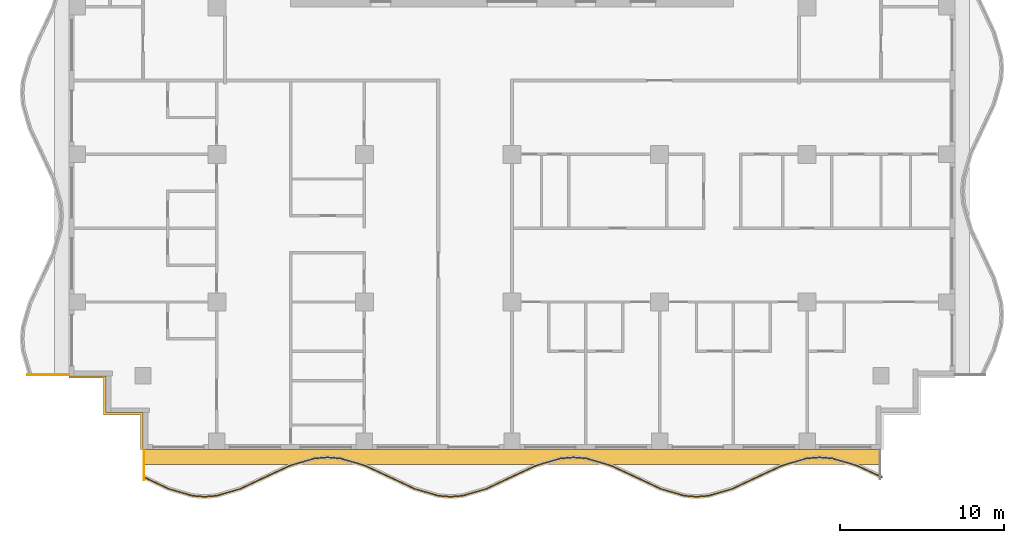
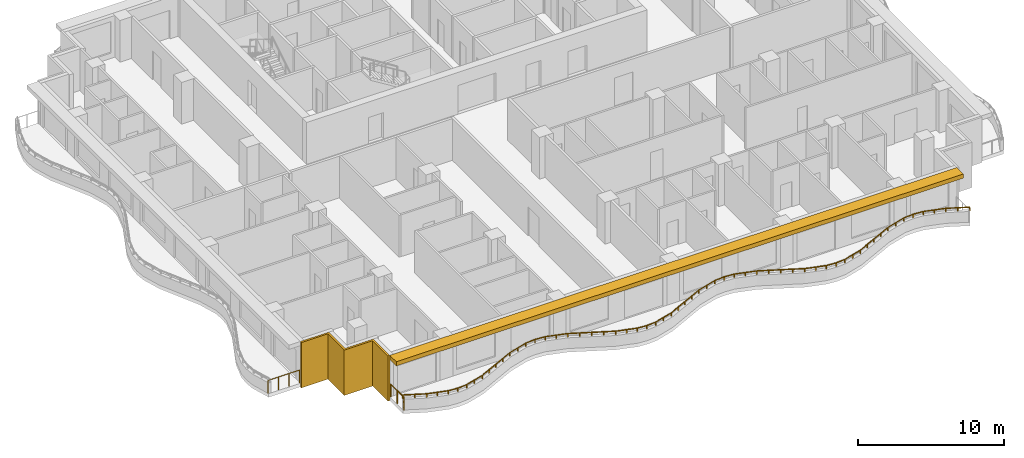
# One storey, part 9 of 12: 3 railings, 2 shading devices.
"""IFC4 building model written with IfcOpenShell, lengths in metres."""

import ifcopenshell
import ifcopenshell.guid

model = None  # the IFC model being written
_history = None  # IfcOwnerHistory: only IFC2X3 demands one
_inside = {}  # id of a spatial element -> (the spatial element, [elements in it])
_under = {}  # id of a project, library or spatial element -> (it, [spatial elements below it])
_declared = {}  # id of a project -> (the project, [libraries it declares])
_typed = {}  # id of a type object -> (the type object, [elements of that type])
_made_of = {}  # id of a material, layer set ... -> (it, [elements and type objects made of it])


def new_model(schema):
    """Start an empty IFC model of exactly this schema.

    Asked for "IFC4X3", IfcOpenShell would pick the latest addendum, in which some entities
    have other attributes; the version numbers below select the first issue.
    IFC2X3 requires an IfcOwnerHistory on every rooted entity: one is made here for all.
    """
    global model, _history
    if schema == "IFC4X3":
        model = ifcopenshell.file(schema_version=(4, 3, 0, 0))
    else:
        model = ifcopenshell.file(schema=schema)
    _inside.clear()
    _under.clear()
    _declared.clear()
    _typed.clear()
    _made_of.clear()
    _history = None
    if model.schema == "IFC2X3":
        org = make("IfcOrganization", Name="unknown")
        user = make(
            "IfcPersonAndOrganization",
            ThePerson=make("IfcPerson", FamilyName="unknown"),
            TheOrganization=org,
        )
        app = make(
            "IfcApplication",
            ApplicationDeveloper=org,
            Version="unknown",
            ApplicationFullName="unknown",
            ApplicationIdentifier="unknown",
        )
        _history = make(
            "IfcOwnerHistory",
            OwningUser=user,
            OwningApplication=app,
            ChangeAction="ADDED",
            CreationDate=0,
        )
    return model


def make(cls, **values):
    """One entity of the class cls with the attributes given. An attribute that is None is left unset."""
    return model.create_entity(
        cls, **{name: value for name, value in values.items() if value is not None}
    )


def rooted(cls, **values):
    """An entity with a GlobalId (a new one), such as an element, a storey or a relation."""
    return make(cls, GlobalId=ifcopenshell.guid.new(), OwnerHistory=_history, **values)


def si_unit(unit_type, name, prefix=None):
    """IfcSIUnit, for example si_unit("LENGTHUNIT", "METRE", prefix="MILLI")."""
    return make("IfcSIUnit", UnitType=unit_type, Prefix=prefix, Name=name)


def assignment(units):
    """IfcUnitAssignment: the units of a project."""
    return None if units is None else make("IfcUnitAssignment", Units=units)


def point(xyz):
    """IfcCartesianPoint."""
    return None if xyz is None else make("IfcCartesianPoint", Coordinates=xyz)


def direction(xyz):
    """IfcDirection."""
    return None if xyz is None else make("IfcDirection", DirectionRatios=xyz)


def frame(location, z_axis=None, x_axis=None):
    """IfcAxis2Placement3D, a coordinate frame: its origin and axes. An axis left out is left unset."""
    return make(
        "IfcAxis2Placement3D",
        Location=point(location),
        Axis=direction(z_axis),
        RefDirection=direction(x_axis),
    )


def frame_2d(location, x_axis=None):
    """IfcAxis2Placement2D, a coordinate frame in the plane: its origin and x axis."""
    return make(
        "IfcAxis2Placement2D", Location=point(location), RefDirection=direction(x_axis)
    )


def origin():
    """The frame at (0, 0, 0) with its axes left unset."""
    return frame((0.0, 0.0, 0.0))


def origin_2d():
    """The frame at (0, 0) in the plane with its x axis left unset."""
    return frame_2d((0.0, 0.0))


def place(relative_to, where):
    """IfcLocalPlacement: puts the frame where relative to a parent placement (None: the world)."""
    return make(
        "IfcLocalPlacement", PlacementRelTo=relative_to, RelativePlacement=where
    )


def context(
    kind, dimensions, precision=None, world=None, true_north=None, identifier=None
):
    """IfcGeometricRepresentationContext, for example the 3D "Model" context."""
    return make(
        "IfcGeometricRepresentationContext",
        ContextIdentifier=identifier,
        ContextType=kind,
        CoordinateSpaceDimension=dimensions,
        Precision=precision,
        WorldCoordinateSystem=world,
        TrueNorth=true_north,
    )


def subcontext(parent, identifier, kind, view, scale=None):
    """IfcGeometricRepresentationSubContext, for example "Body" below "Model"."""
    return make(
        "IfcGeometricRepresentationSubContext",
        ContextIdentifier=identifier,
        ContextType=kind,
        ParentContext=parent,
        TargetScale=scale,
        TargetView=view,
    )


def project(units=None, contexts=None):
    """IfcProject with its units and contexts."""
    return rooted(
        "IfcProject",
        Name="project",
        RepresentationContexts=contexts,
        UnitsInContext=assignment(units),
    )


def spatial(cls, under=None, at=None, **own):
    """A site, building, storey or space (cls), placed at a placement, below another one or the project."""
    s = rooted(cls, ObjectPlacement=at, **own)
    if under is not None:
        _under.setdefault(under.id(), (under, []))[1].append(s)
    return s


def polyline(points):
    """IfcPolyline through the points."""
    return make("IfcPolyline", Points=[point(p) for p in points])


def profile(cls, at=None, kind="AREA", **sizes):
    """A parametric profile (cls). Its sizes go by their IFC names, for example OverallWidth=200.0."""
    return make(cls, ProfileType=kind, Position=at, **sizes)


def rectangle(**sizes):
    """IfcRectangleProfileDef."""
    return profile("IfcRectangleProfileDef", **sizes)


def outline(outer, holes=None, kind="AREA"):
    """IfcArbitraryClosedProfileDef: a profile drawn as a closed curve; with holes, ...WithVoids."""
    if holes is None:
        return make("IfcArbitraryClosedProfileDef", ProfileType=kind, OuterCurve=outer)
    return make(
        "IfcArbitraryProfileDefWithVoids",
        ProfileType=kind,
        OuterCurve=outer,
        InnerCurves=holes,
    )


def extrude(swept, where, along, depth):
    """IfcExtrudedAreaSolid: the profile swept, set in the frame where, extruded along a direction by depth."""
    return make(
        "IfcExtrudedAreaSolid",
        SweptArea=swept,
        Position=where,
        ExtrudedDirection=direction(along),
        Depth=depth,
    )


def shape(context_of_items, identifier, shape_type, items):
    """IfcShapeRepresentation: the items that make up one representation, for example the "Body"."""
    return make(
        "IfcShapeRepresentation",
        ContextOfItems=context_of_items,
        RepresentationIdentifier=identifier,
        RepresentationType=shape_type,
        Items=items,
    )


def material(Name=None, Category=None):
    """IfcMaterial."""
    return make("IfcMaterial", Name=Name, Category=Category)


def layer(
    of_material, thickness, ventilated=None, Name=None, Category=None, Priority=None
):
    """IfcMaterialLayer: one layer of a wall or slab, of a material (None: an air gap)."""
    return make(
        "IfcMaterialLayer",
        Material=of_material,
        LayerThickness=thickness,
        IsVentilated=ventilated,
        Name=Name,
        Category=Category,
        Priority=Priority,
    )


def layer_set(layers, Name=None):
    """IfcMaterialLayerSet."""
    return make("IfcMaterialLayerSet", MaterialLayers=layers, LayerSetName=Name)


def made_of(thing, what):
    """Note that an element or type object is made of a material, layer set ...; save() writes the relation."""
    if what is not None:
        _made_of.setdefault(what.id(), (what, []))[1].append(thing)
    return thing


def type_object(cls, material=None, **own):
    """A type object (cls), such as IfcWallType, which elements share."""
    return made_of(rooted(cls, **own), material)


def element(
    cls,
    number,
    at=None,
    inside=None,
    cuts=None,
    type_object=None,
    material=None,
    context=None,
    identifier="Body",
    shape_type=None,
    held_by="IfcProductDefinitionShape",
    body=None,
    shapes=None,
    **own,
):
    """One element of the class cls, such as IfcWall. Its Tag is "e" and its number.

    at: its placement. inside: the storey or other place that contains it. cuts: it is an
    opening in that element (IfcRelVoidsElement). A single representation is given by context,
    identifier, shape_type and body (its items); several are given by shapes. held_by: the class
    of the entity that holds the representations. save() writes the other relations.
    """
    e = rooted(cls, Tag="e%d" % number, ObjectPlacement=at, **own)
    if body is not None:
        shapes = [shape(context, identifier, shape_type, body)]
    if shapes is not None:
        e.Representation = make(held_by, Representations=shapes)
    if inside is not None:
        _inside.setdefault(inside.id(), (inside, []))[1].append(e)
    if cuts is not None:
        rooted(
            "IfcRelVoidsElement", RelatingBuildingElement=cuts, RelatedOpeningElement=e
        )
    if type_object is not None:
        _typed.setdefault(type_object.id(), (type_object, []))[1].append(e)
    return made_of(e, material)


def aggregate(whole, parts):
    """IfcRelAggregates: a whole, such as a stair, and the parts it consists of."""
    return rooted("IfcRelAggregates", RelatingObject=whole, RelatedObjects=parts)


def save(model, path):
    """Write the relations noted so far, then the file.

    IfcRelAggregates (storeys below a building ...), IfcRelContainedInSpatialStructure (elements
    in a storey), IfcRelDefinesByType, IfcRelAssociatesMaterial and IfcRelDeclares: one each for
    every whole, place, type object, material and project.
    """
    for whole, parts in _under.values():
        aggregate(whole, parts)
    for where, things in _inside.values():
        rooted(
            "IfcRelContainedInSpatialStructure",
            RelatedElements=things,
            RelatingStructure=where,
        )
    for kind, things in _typed.values():
        rooted("IfcRelDefinesByType", RelatedObjects=things, RelatingType=kind)
    for what, things in _made_of.values():
        rooted("IfcRelAssociatesMaterial", RelatedObjects=things, RelatingMaterial=what)
    for by, libraries in _declared.values():
        rooted("IfcRelDeclares", RelatingContext=by, RelatedDefinitions=libraries)
    model.write(path)


model = new_model("IFC4")

# Units and contexts
model_context = context("Model", 3, precision=1e-05, world=origin(), true_north=direction((0.0, 1.0)))
body_context = subcontext(model_context, "Body", "Model", "MODEL_VIEW")
ifc_project = project(units=[si_unit("LENGTHUNIT", "METRE"), si_unit("AREAUNIT", "SQUARE_METRE"), si_unit("VOLUMEUNIT", "CUBIC_METRE"), si_unit("PLANEANGLEUNIT", "RADIAN"), si_unit("MASSUNIT", "GRAM", prefix="KILO")], contexts=[model_context])

# Site, building, storey
site_placement = place(None, origin())
site = spatial("IfcSite", under=ifc_project, at=site_placement, CompositionType="ELEMENT")
building_placement = place(site_placement, origin())
building = spatial("IfcBuilding", under=site, at=building_placement, Name="Orbiselva Terraces", CompositionType="ELEMENT")
storey_placement = place(building_placement, frame((0.0, 0.0, 211.0)))
storey = spatial("IfcBuildingStorey", under=building, at=storey_placement, Name="L53", CompositionType="ELEMENT", Elevation=211.0)

# Railings
ifc_material_1 = material(Name="Bonded two-ply safety glass balustrade, stainless steel posts", Category="steel")
railing_type_1 = type_object("IfcRailingType", Name="ENV-BALUSTRADE-1200", PredefinedType="BALUSTRADE", material=ifc_material_1)
railing_1_placement = place(storey_placement, frame((-22.446809, -24.186882, 0.9)))
element("IfcRailing", 1, at=railing_1_placement, inside=storey, type_object=railing_type_1, Name="Balcony balustrade L53 S", PredefinedType="BALUSTRADE", context=body_context, shape_type="SweptSolid", body=[
    extrude(outline(polyline([(0.028868, 0.0), (0.014434, 0.025), (-0.014434, 0.025), (-0.028868, 0.0), (-0.014434, -0.025), (0.014434, -0.025), (0.028868, 0.0)])), frame((0.0, 0.0, 0.275), z_axis=(0.904944359461, -0.425529912322, 0.0), x_axis=(0.425529912322, 0.904944359461, 0.0)), (0.0, 0.0, 1.0), 1.647746),
    extrude(outline(polyline([(0.028868, 0.0), (0.014434, 0.025), (-0.014434, 0.025), (-0.028868, 0.0), (-0.014434, -0.025), (0.014434, -0.025), (0.028868, 0.0)])), frame((1.491118, -0.701165, 0.275), z_axis=(0.960270317007, -0.279071528957, 0.0), x_axis=(0.279071528957, 0.960270317007, 0.0)), (0.0, 0.0, 1.0), 1.539408),
    extrude(outline(polyline([(0.028868, 0.0), (0.014434, 0.025), (-0.014434, 0.025), (-0.028868, 0.0), (-0.014434, -0.025), (0.014434, -0.025), (0.028868, 0.0)])), frame((2.969366, -1.13077, 0.275), z_axis=(0.996947916106, -0.078069536776, 0.0), x_axis=(0.078069536776, 0.996947916106, 0.0)), (0.0, 0.0, 1.0), 0.72967),
    extrude(outline(polyline([(0.028868, 0.0), (0.014434, 0.025), (-0.014434, 0.025), (-0.028868, 0.0), (-0.014434, -0.025), (0.014434, -0.025), (0.028868, 0.0)])), frame((3.696809, -1.187735, 0.275), z_axis=(0.996947916106, 0.078069536776, 0.0), x_axis=(-0.078069536776, 0.996947916106, 0.0)), (0.0, 0.0, 1.0), 0.72967),
    extrude(outline(polyline([(0.028868, 0.0), (0.014434, 0.025), (-0.014434, 0.025), (-0.028868, 0.0), (-0.014434, -0.025), (0.014434, -0.025), (0.028868, 0.0)])), frame((4.424252, -1.13077, 0.275), z_axis=(0.960270317007, 0.279071528957, 0.0), x_axis=(-0.279071528957, 0.960270317007, 0.0)), (0.0, 0.0, 1.0), 1.539408),
    extrude(outline(polyline([(0.028868, 0.0), (0.014434, 0.025), (-0.014434, 0.025), (-0.028868, 0.0), (-0.014434, -0.025), (0.014434, -0.025), (0.028868, 0.0)])), frame((5.9025, -0.701165, 0.275), z_axis=(0.904944359461, 0.425529912322, 0.0), x_axis=(-0.425529912322, 0.904944359461, 0.0)), (0.0, 0.0, 1.0), 1.647746),
    extrude(outline(polyline([(0.028868, 0.0), (0.014434, 0.025), (-0.014434, 0.025), (-0.028868, 0.0), (-0.014434, -0.025), (0.014434, -0.025), (0.028868, 0.0)])), frame((7.393618, 0.0, 0.275), z_axis=(0.904944157382, 0.425530342069, 0.0), x_axis=(-0.425530342069, 0.904944157382, 0.0)), (0.0, 0.0, 1.0), 1.667376),
    extrude(outline(polyline([(0.028868, 0.0), (0.014434, 0.025), (-0.014434, 0.025), (-0.028868, 0.0), (-0.014434, -0.025), (0.014434, -0.025), (0.028868, 0.0)])), frame((8.9025, 0.709519, 0.275), z_axis=(0.960270491427, 0.279070928786, 0.0), x_axis=(-0.279070928786, 0.960270491427, 0.0)), (0.0, 0.0, 1.0), 1.584712),
    extrude(outline(polyline([(0.028868, 0.0), (0.014434, 0.025), (-0.014434, 0.025), (-0.028868, 0.0), (-0.014434, -0.025), (0.014434, -0.025), (0.028868, 0.0)])), frame((10.424252, 1.151766, 0.275), z_axis=(0.996947796737, 0.078071061106, 0.0), x_axis=(-0.078071061106, 0.996947796737, 0.0)), (0.0, 0.0, 1.0), 0.774922),
    extrude(outline(polyline([(0.028868, 0.0), (0.014434, 0.025), (-0.014434, 0.025), (-0.028868, 0.0), (-0.014434, -0.025), (0.014434, -0.025), (0.028868, 0.0)])), frame((11.196809, 1.212265, 0.275), z_axis=(0.996947796737, -0.078071061106, 0.0), x_axis=(0.078071061106, 0.996947796737, 0.0)), (0.0, 0.0, 1.0), 0.774922),
    extrude(outline(polyline([(0.028868, 0.0), (0.014434, 0.025), (-0.014434, 0.025), (-0.028868, 0.0), (-0.014434, -0.025), (0.014434, -0.025), (0.028868, 0.0)])), frame((11.969366, 1.151766, 0.275), z_axis=(0.960270491427, -0.279070928786, 0.0), x_axis=(0.279070928786, 0.960270491427, 0.0)), (0.0, 0.0, 1.0), 1.584712),
    extrude(outline(polyline([(0.028868, 0.0), (0.014434, 0.025), (-0.014434, 0.025), (-0.028868, 0.0), (-0.014434, -0.025), (0.014434, -0.025), (0.028868, 0.0)])), frame((13.491118, 0.709519, 0.275), z_axis=(0.904944157382, -0.425530342069, 0.0), x_axis=(0.425530342069, 0.904944157382, 0.0)), (0.0, 0.0, 1.0), 1.667376),
    extrude(outline(polyline([(0.028868, 0.0), (0.014434, 0.025), (-0.014434, 0.025), (-0.028868, 0.0), (-0.014434, -0.025), (0.014434, -0.025), (0.028868, 0.0)])), frame((15.0, 0.0, 0.275), z_axis=(0.904944359461, -0.425529912322, 0.0), x_axis=(0.425529912322, 0.904944359461, 0.0)), (0.0, 0.0, 1.0), 1.647746),
    extrude(outline(polyline([(0.028868, 0.0), (0.014434, 0.025), (-0.014434, 0.025), (-0.028868, 0.0), (-0.014434, -0.025), (0.014434, -0.025), (0.028868, 0.0)])), frame((16.491118, -0.701165, 0.275), z_axis=(0.960270317007, -0.279071528957, 0.0), x_axis=(0.279071528957, 0.960270317007, 0.0)), (0.0, 0.0, 1.0), 1.539408),
    extrude(outline(polyline([(0.028868, 0.0), (0.014434, 0.025), (-0.014434, 0.025), (-0.028868, 0.0), (-0.014434, -0.025), (0.014434, -0.025), (0.028868, 0.0)])), frame((17.969366, -1.13077, 0.275), z_axis=(0.996947916106, -0.078069536776, 0.0), x_axis=(0.078069536776, 0.996947916106, 0.0)), (0.0, 0.0, 1.0), 0.72967),
    extrude(outline(polyline([(0.028868, 0.0), (0.014434, 0.025), (-0.014434, 0.025), (-0.028868, 0.0), (-0.014434, -0.025), (0.014434, -0.025), (0.028868, 0.0)])), frame((18.696809, -1.187735, 0.275), z_axis=(0.996947916106, 0.078069536776, 0.0), x_axis=(-0.078069536776, 0.996947916106, 0.0)), (0.0, 0.0, 1.0), 0.72967),
    extrude(outline(polyline([(0.028868, 0.0), (0.014434, 0.025), (-0.014434, 0.025), (-0.028868, 0.0), (-0.014434, -0.025), (0.014434, -0.025), (0.028868, 0.0)])), frame((19.424252, -1.13077, 0.275), z_axis=(0.960270317007, 0.279071528957, 0.0), x_axis=(-0.279071528957, 0.960270317007, 0.0)), (0.0, 0.0, 1.0), 1.539408),
    extrude(outline(polyline([(0.028868, 0.0), (0.014434, 0.025), (-0.014434, 0.025), (-0.028868, 0.0), (-0.014434, -0.025), (0.014434, -0.025), (0.028868, 0.0)])), frame((20.9025, -0.701165, 0.275), z_axis=(0.904944359461, 0.425529912322, 0.0), x_axis=(-0.425529912322, 0.904944359461, 0.0)), (0.0, 0.0, 1.0), 1.647746),
    extrude(outline(polyline([(0.028868, 0.0), (0.014434, 0.025), (-0.014434, 0.025), (-0.028868, 0.0), (-0.014434, -0.025), (0.014434, -0.025), (0.028868, 0.0)])), frame((22.393618, 0.0, 0.275), z_axis=(0.904944157382, 0.425530342069, 0.0), x_axis=(-0.425530342069, 0.904944157382, 0.0)), (0.0, 0.0, 1.0), 1.667376),
    extrude(outline(polyline([(0.028868, 0.0), (0.014434, 0.025), (-0.014434, 0.025), (-0.028868, 0.0), (-0.014434, -0.025), (0.014434, -0.025), (0.028868, 0.0)])), frame((23.9025, 0.709519, 0.275), z_axis=(0.960270491427, 0.279070928786, 0.0), x_axis=(-0.279070928786, 0.960270491427, 0.0)), (0.0, 0.0, 1.0), 1.584712),
    extrude(outline(polyline([(0.028868, 0.0), (0.014434, 0.025), (-0.014434, 0.025), (-0.028868, 0.0), (-0.014434, -0.025), (0.014434, -0.025), (0.028868, 0.0)])), frame((25.424252, 1.151766, 0.275), z_axis=(0.996947796737, 0.078071061106, 0.0), x_axis=(-0.078071061106, 0.996947796737, 0.0)), (0.0, 0.0, 1.0), 0.774922),
    extrude(outline(polyline([(0.028868, 0.0), (0.014434, 0.025), (-0.014434, 0.025), (-0.028868, 0.0), (-0.014434, -0.025), (0.014434, -0.025), (0.028868, 0.0)])), frame((26.196809, 1.212265, 0.275), z_axis=(0.996947796737, -0.078071061106, 0.0), x_axis=(0.078071061106, 0.996947796737, 0.0)), (0.0, 0.0, 1.0), 0.774922),
    extrude(outline(polyline([(0.028868, 0.0), (0.014434, 0.025), (-0.014434, 0.025), (-0.028868, 0.0), (-0.014434, -0.025), (0.014434, -0.025), (0.028868, 0.0)])), frame((26.969366, 1.151766, 0.275), z_axis=(0.960270491427, -0.279070928786, 0.0), x_axis=(0.279070928786, 0.960270491427, 0.0)), (0.0, 0.0, 1.0), 1.584712),
    extrude(outline(polyline([(0.028868, 0.0), (0.014434, 0.025), (-0.014434, 0.025), (-0.028868, 0.0), (-0.014434, -0.025), (0.014434, -0.025), (0.028868, 0.0)])), frame((28.491118, 0.709519, 0.275), z_axis=(0.904944157382, -0.425530342069, 0.0), x_axis=(0.425530342069, 0.904944157382, 0.0)), (0.0, 0.0, 1.0), 1.667376),
    extrude(outline(polyline([(0.028868, 0.0), (0.014434, 0.025), (-0.014434, 0.025), (-0.028868, 0.0), (-0.014434, -0.025), (0.014434, -0.025), (0.028868, 0.0)])), frame((30.0, 0.0, 0.275), z_axis=(0.904944359461, -0.425529912322, 0.0), x_axis=(0.425529912322, 0.904944359461, 0.0)), (0.0, 0.0, 1.0), 1.647746),
    extrude(outline(polyline([(0.028868, 0.0), (0.014434, 0.025), (-0.014434, 0.025), (-0.028868, 0.0), (-0.014434, -0.025), (0.014434, -0.025), (0.028868, 0.0)])), frame((31.491118, -0.701165, 0.275), z_axis=(0.960270317007, -0.279071528957, 0.0), x_axis=(0.279071528957, 0.960270317007, 0.0)), (0.0, 0.0, 1.0), 1.539408),
    extrude(outline(polyline([(0.028868, 0.0), (0.014434, 0.025), (-0.014434, 0.025), (-0.028868, 0.0), (-0.014434, -0.025), (0.014434, -0.025), (0.028868, 0.0)])), frame((32.969366, -1.13077, 0.275), z_axis=(0.996947916106, -0.078069536776, 0.0), x_axis=(0.078069536776, 0.996947916106, 0.0)), (0.0, 0.0, 1.0), 0.72967),
    extrude(outline(polyline([(0.028868, 0.0), (0.014434, 0.025), (-0.014434, 0.025), (-0.028868, 0.0), (-0.014434, -0.025), (0.014434, -0.025), (0.028868, 0.0)])), frame((33.696809, -1.187735, 0.275), z_axis=(0.996947916106, 0.078069536776, 0.0), x_axis=(-0.078069536776, 0.996947916106, 0.0)), (0.0, 0.0, 1.0), 0.72967),
    extrude(outline(polyline([(0.028868, 0.0), (0.014434, 0.025), (-0.014434, 0.025), (-0.028868, 0.0), (-0.014434, -0.025), (0.014434, -0.025), (0.028868, 0.0)])), frame((34.424252, -1.13077, 0.275), z_axis=(0.960270317007, 0.279071528957, 0.0), x_axis=(-0.279071528957, 0.960270317007, 0.0)), (0.0, 0.0, 1.0), 1.539408),
    extrude(outline(polyline([(0.028868, 0.0), (0.014434, 0.025), (-0.014434, 0.025), (-0.028868, 0.0), (-0.014434, -0.025), (0.014434, -0.025), (0.028868, 0.0)])), frame((35.9025, -0.701165, 0.275), z_axis=(0.904944359461, 0.425529912322, 0.0), x_axis=(-0.425529912322, 0.904944359461, 0.0)), (0.0, 0.0, 1.0), 1.647746),
    extrude(outline(polyline([(0.028868, 0.0), (0.014434, 0.025), (-0.014434, 0.025), (-0.028868, 0.0), (-0.014434, -0.025), (0.014434, -0.025), (0.028868, 0.0)])), frame((37.393618, 0.0, 0.275), z_axis=(0.904944157382, 0.425530342069, 0.0), x_axis=(-0.425530342069, 0.904944157382, 0.0)), (0.0, 0.0, 1.0), 1.667376),
    extrude(outline(polyline([(0.028868, 0.0), (0.014434, 0.025), (-0.014434, 0.025), (-0.028868, 0.0), (-0.014434, -0.025), (0.014434, -0.025), (0.028868, 0.0)])), frame((38.9025, 0.709519, 0.275), z_axis=(0.960270491427, 0.279070928786, 0.0), x_axis=(-0.279070928786, 0.960270491427, 0.0)), (0.0, 0.0, 1.0), 1.584712),
    extrude(outline(polyline([(0.028868, 0.0), (0.014434, 0.025), (-0.014434, 0.025), (-0.028868, 0.0), (-0.014434, -0.025), (0.014434, -0.025), (0.028868, 0.0)])), frame((40.424252, 1.151766, 0.275), z_axis=(0.996947796737, 0.078071061106, 0.0), x_axis=(-0.078071061106, 0.996947796737, 0.0)), (0.0, 0.0, 1.0), 0.774922),
    extrude(outline(polyline([(0.028868, 0.0), (0.014434, 0.025), (-0.014434, 0.025), (-0.028868, 0.0), (-0.014434, -0.025), (0.014434, -0.025), (0.028868, 0.0)])), frame((41.196809, 1.212265, 0.275), z_axis=(0.996947796737, -0.078071061106, 0.0), x_axis=(0.078071061106, 0.996947796737, 0.0)), (0.0, 0.0, 1.0), 0.774922),
    extrude(outline(polyline([(0.028868, 0.0), (0.014434, 0.025), (-0.014434, 0.025), (-0.028868, 0.0), (-0.014434, -0.025), (0.014434, -0.025), (0.028868, 0.0)])), frame((41.969366, 1.151766, 0.275), z_axis=(0.960270491427, -0.279070928786, 0.0), x_axis=(0.279070928786, 0.960270491427, 0.0)), (0.0, 0.0, 1.0), 1.584712),
    extrude(outline(polyline([(0.028868, 0.0), (0.014434, 0.025), (-0.014434, 0.025), (-0.028868, 0.0), (-0.014434, -0.025), (0.014434, -0.025), (0.028868, 0.0)])), frame((43.491118, 0.709519, 0.275), z_axis=(0.904944157382, -0.425530342069, 0.0), x_axis=(0.425530342069, 0.904944157382, 0.0)), (0.0, 0.0, 1.0), 1.667376),
    extrude(rectangle(XDim=0.05, YDim=0.05, at=origin_2d()), origin(), (0.0, 0.0, 1.0), 0.25),
    extrude(rectangle(XDim=0.05, YDim=0.05, at=origin_2d()), frame((0.745559, -0.350582, 0.0)), (0.0, 0.0, 1.0), 0.25),
    extrude(rectangle(XDim=0.05, YDim=0.05, at=origin_2d()), frame((1.491118, -0.701165, 0.0)), (0.0, 0.0, 1.0), 0.25),
    extrude(rectangle(XDim=0.05, YDim=0.05, at=origin_2d()), frame((2.230242, -0.915967, 0.0)), (0.0, 0.0, 1.0), 0.25),
    extrude(rectangle(XDim=0.05, YDim=0.05, at=origin_2d()), frame((2.969366, -1.13077, 0.0)), (0.0, 0.0, 1.0), 0.25),
    extrude(rectangle(XDim=0.05, YDim=0.05, at=origin_2d()), frame((3.696809, -1.187735, 0.0)), (0.0, 0.0, 1.0), 0.25),
    extrude(rectangle(XDim=0.05, YDim=0.05, at=origin_2d()), frame((4.424252, -1.13077, 0.0)), (0.0, 0.0, 1.0), 0.25),
    extrude(rectangle(XDim=0.05, YDim=0.05, at=origin_2d()), frame((5.163376, -0.915967, 0.0)), (0.0, 0.0, 1.0), 0.25),
    extrude(rectangle(XDim=0.05, YDim=0.05, at=origin_2d()), frame((5.9025, -0.701165, 0.0)), (0.0, 0.0, 1.0), 0.25),
    extrude(rectangle(XDim=0.05, YDim=0.05, at=origin_2d()), frame((6.648059, -0.350582, 0.0)), (0.0, 0.0, 1.0), 0.25),
    extrude(rectangle(XDim=0.05, YDim=0.05, at=origin_2d()), frame((7.393618, 0.0, 0.0)), (0.0, 0.0, 1.0), 0.25),
    extrude(rectangle(XDim=0.05, YDim=0.05, at=origin_2d()), frame((8.148059, 0.35476, 0.0)), (0.0, 0.0, 1.0), 0.25),
    extrude(rectangle(XDim=0.05, YDim=0.05, at=origin_2d()), frame((8.9025, 0.709519, 0.0)), (0.0, 0.0, 1.0), 0.25),
    extrude(rectangle(XDim=0.05, YDim=0.05, at=origin_2d()), frame((9.663376, 0.930643, 0.0)), (0.0, 0.0, 1.0), 0.25),
    extrude(rectangle(XDim=0.05, YDim=0.05, at=origin_2d()), frame((10.424252, 1.151766, 0.0)), (0.0, 0.0, 1.0), 0.25),
    extrude(rectangle(XDim=0.05, YDim=0.05, at=origin_2d()), frame((11.196809, 1.212265, 0.0)), (0.0, 0.0, 1.0), 0.25),
    extrude(rectangle(XDim=0.05, YDim=0.05, at=origin_2d()), frame((11.969366, 1.151766, 0.0)), (0.0, 0.0, 1.0), 0.25),
    extrude(rectangle(XDim=0.05, YDim=0.05, at=origin_2d()), frame((12.730242, 0.930643, 0.0)), (0.0, 0.0, 1.0), 0.25),
    extrude(rectangle(XDim=0.05, YDim=0.05, at=origin_2d()), frame((13.491118, 0.709519, 0.0)), (0.0, 0.0, 1.0), 0.25),
    extrude(rectangle(XDim=0.05, YDim=0.05, at=origin_2d()), frame((14.245559, 0.35476, 0.0)), (0.0, 0.0, 1.0), 0.25),
    extrude(rectangle(XDim=0.05, YDim=0.05, at=origin_2d()), frame((15.0, 0.0, 0.0)), (0.0, 0.0, 1.0), 0.25),
    extrude(rectangle(XDim=0.05, YDim=0.05, at=origin_2d()), frame((15.745559, -0.350582, 0.0)), (0.0, 0.0, 1.0), 0.25),
    extrude(rectangle(XDim=0.05, YDim=0.05, at=origin_2d()), frame((16.491118, -0.701165, 0.0)), (0.0, 0.0, 1.0), 0.25),
    extrude(rectangle(XDim=0.05, YDim=0.05, at=origin_2d()), frame((17.230242, -0.915967, 0.0)), (0.0, 0.0, 1.0), 0.25),
    extrude(rectangle(XDim=0.05, YDim=0.05, at=origin_2d()), frame((17.969366, -1.13077, 0.0)), (0.0, 0.0, 1.0), 0.25),
    extrude(rectangle(XDim=0.05, YDim=0.05, at=origin_2d()), frame((18.696809, -1.187735, 0.0)), (0.0, 0.0, 1.0), 0.25),
    extrude(rectangle(XDim=0.05, YDim=0.05, at=origin_2d()), frame((19.424252, -1.13077, 0.0)), (0.0, 0.0, 1.0), 0.25),
    extrude(rectangle(XDim=0.05, YDim=0.05, at=origin_2d()), frame((20.163376, -0.915967, 0.0)), (0.0, 0.0, 1.0), 0.25),
    extrude(rectangle(XDim=0.05, YDim=0.05, at=origin_2d()), frame((20.9025, -0.701165, 0.0)), (0.0, 0.0, 1.0), 0.25),
    extrude(rectangle(XDim=0.05, YDim=0.05, at=origin_2d()), frame((21.648059, -0.350582, 0.0)), (0.0, 0.0, 1.0), 0.25),
    extrude(rectangle(XDim=0.05, YDim=0.05, at=origin_2d()), frame((22.393618, 0.0, 0.0)), (0.0, 0.0, 1.0), 0.25),
    extrude(rectangle(XDim=0.05, YDim=0.05, at=origin_2d()), frame((23.148059, 0.35476, 0.0)), (0.0, 0.0, 1.0), 0.25),
    extrude(rectangle(XDim=0.05, YDim=0.05, at=origin_2d()), frame((23.9025, 0.709519, 0.0)), (0.0, 0.0, 1.0), 0.25),
    extrude(rectangle(XDim=0.05, YDim=0.05, at=origin_2d()), frame((24.663376, 0.930643, 0.0)), (0.0, 0.0, 1.0), 0.25),
    extrude(rectangle(XDim=0.05, YDim=0.05, at=origin_2d()), frame((25.424252, 1.151766, 0.0)), (0.0, 0.0, 1.0), 0.25),
    extrude(rectangle(XDim=0.05, YDim=0.05, at=origin_2d()), frame((26.196809, 1.212265, 0.0)), (0.0, 0.0, 1.0), 0.25),
    extrude(rectangle(XDim=0.05, YDim=0.05, at=origin_2d()), frame((26.969366, 1.151766, 0.0)), (0.0, 0.0, 1.0), 0.25),
    extrude(rectangle(XDim=0.05, YDim=0.05, at=origin_2d()), frame((27.730242, 0.930643, 0.0)), (0.0, 0.0, 1.0), 0.25),
    extrude(rectangle(XDim=0.05, YDim=0.05, at=origin_2d()), frame((28.491118, 0.709519, 0.0)), (0.0, 0.0, 1.0), 0.25),
    extrude(rectangle(XDim=0.05, YDim=0.05, at=origin_2d()), frame((29.245559, 0.35476, 0.0)), (0.0, 0.0, 1.0), 0.25),
    extrude(rectangle(XDim=0.05, YDim=0.05, at=origin_2d()), frame((30.0, 0.0, 0.0)), (0.0, 0.0, 1.0), 0.25),
    extrude(rectangle(XDim=0.05, YDim=0.05, at=origin_2d()), frame((30.745559, -0.350582, 0.0)), (0.0, 0.0, 1.0), 0.25),
    extrude(rectangle(XDim=0.05, YDim=0.05, at=origin_2d()), frame((31.491118, -0.701165, 0.0)), (0.0, 0.0, 1.0), 0.25),
    extrude(rectangle(XDim=0.05, YDim=0.05, at=origin_2d()), frame((32.230242, -0.915967, 0.0)), (0.0, 0.0, 1.0), 0.25),
    extrude(rectangle(XDim=0.05, YDim=0.05, at=origin_2d()), frame((32.969366, -1.13077, 0.0)), (0.0, 0.0, 1.0), 0.25),
    extrude(rectangle(XDim=0.05, YDim=0.05, at=origin_2d()), frame((33.696809, -1.187735, 0.0)), (0.0, 0.0, 1.0), 0.25),
    extrude(rectangle(XDim=0.05, YDim=0.05, at=origin_2d()), frame((34.424252, -1.13077, 0.0)), (0.0, 0.0, 1.0), 0.25),
    extrude(rectangle(XDim=0.05, YDim=0.05, at=origin_2d()), frame((35.163376, -0.915967, 0.0)), (0.0, 0.0, 1.0), 0.25),
    extrude(rectangle(XDim=0.05, YDim=0.05, at=origin_2d()), frame((35.9025, -0.701165, 0.0)), (0.0, 0.0, 1.0), 0.25),
    extrude(rectangle(XDim=0.05, YDim=0.05, at=origin_2d()), frame((36.648059, -0.350582, 0.0)), (0.0, 0.0, 1.0), 0.25),
    extrude(rectangle(XDim=0.05, YDim=0.05, at=origin_2d()), frame((37.393618, 0.0, 0.0)), (0.0, 0.0, 1.0), 0.25),
    extrude(rectangle(XDim=0.05, YDim=0.05, at=origin_2d()), frame((38.148059, 0.35476, 0.0)), (0.0, 0.0, 1.0), 0.25),
    extrude(rectangle(XDim=0.05, YDim=0.05, at=origin_2d()), frame((38.9025, 0.709519, 0.0)), (0.0, 0.0, 1.0), 0.25),
    extrude(rectangle(XDim=0.05, YDim=0.05, at=origin_2d()), frame((39.663376, 0.930643, 0.0)), (0.0, 0.0, 1.0), 0.25),
    extrude(rectangle(XDim=0.05, YDim=0.05, at=origin_2d()), frame((40.424252, 1.151766, 0.0)), (0.0, 0.0, 1.0), 0.25),
    extrude(rectangle(XDim=0.05, YDim=0.05, at=origin_2d()), frame((41.196809, 1.212265, 0.0)), (0.0, 0.0, 1.0), 0.25),
    extrude(rectangle(XDim=0.05, YDim=0.05, at=origin_2d()), frame((41.969366, 1.151766, 0.0)), (0.0, 0.0, 1.0), 0.25),
    extrude(rectangle(XDim=0.05, YDim=0.05, at=origin_2d()), frame((42.730242, 0.930643, 0.0)), (0.0, 0.0, 1.0), 0.25),
    extrude(rectangle(XDim=0.05, YDim=0.05, at=origin_2d()), frame((43.491118, 0.709519, 0.0)), (0.0, 0.0, 1.0), 0.25),
    extrude(rectangle(XDim=0.05, YDim=0.05, at=origin_2d()), frame((44.245559, 0.35476, 0.0)), (0.0, 0.0, 1.0), 0.25),
    extrude(rectangle(XDim=0.05, YDim=0.05, at=origin_2d()), frame((45.0, 0.0, 0.0)), (0.0, 0.0, 1.0), 0.25),
])
ifc_material_2 = material(Name="Stainless steel rail and posts", Category="steel")
railing_type_2 = type_object("IfcRailingType", Name="ENV-GUARD-1105", PredefinedType="BALUSTRADE", material=ifc_material_2)
railing_2_placement = place(storey_placement, frame((-22.44, -24.330156, 0.0)))
element("IfcRailing", 2, at=railing_2_placement, inside=storey, type_object=railing_type_2, Name="Balcony end guard L53 S", PredefinedType="BALUSTRADE", context=body_context, shape_type="SweptSolid", body=[
    extrude(outline(polyline([(0.028868, 0.0), (0.014434, 0.025), (-0.014434, 0.025), (-0.028868, 0.0), (-0.014434, -0.025), (0.014434, -0.025), (0.028868, 0.0)])), frame((0.0, 0.0, 1.08), z_axis=(0.0, 1.0, 0.0), x_axis=(-1.0, 0.0, 0.0)), (0.0, 0.0, 1.0), 1.805156),
    extrude(rectangle(XDim=0.05, YDim=0.05, at=origin_2d()), origin(), (0.0, 0.0, 1.0), 1.055),
    extrude(rectangle(XDim=0.05, YDim=0.05, at=origin_2d()), frame((0.0, 0.902578, 0.0)), (0.0, 0.0, 1.0), 1.055),
    extrude(rectangle(XDim=0.05, YDim=0.05, at=origin_2d()), frame((0.0, 1.805156, 0.0)), (0.0, 0.0, 1.0), 1.055),
])
railing_3_placement = place(storey_placement, frame((-29.529516, -17.94, 0.0)))
element("IfcRailing", 3, at=railing_3_placement, inside=storey, type_object=railing_type_2, Name="Balcony end guard L53 W", PredefinedType="BALUSTRADE", context=body_context, shape_type="SweptSolid", body=[
    extrude(outline(polyline([(0.028868, 0.0), (0.014434, 0.025), (-0.014434, 0.025), (-0.028868, 0.0), (-0.014434, -0.025), (0.014434, -0.025), (0.028868, 0.0)])), frame((0.0, 0.0, 1.08), z_axis=(1.0, 0.0, 0.0), x_axis=(0.0, 1.0, 0.0)), (0.0, 0.0, 1.0), 2.504516),
    extrude(rectangle(XDim=0.05, YDim=0.05, at=origin_2d()), origin(), (0.0, 0.0, 1.0), 1.055),
    extrude(rectangle(XDim=0.05, YDim=0.05, at=origin_2d()), frame((0.834839, 0.0, 0.0)), (0.0, 0.0, 1.0), 1.055),
    extrude(rectangle(XDim=0.05, YDim=0.05, at=origin_2d()), frame((1.669677, 0.0, 0.0)), (0.0, 0.0, 1.0), 1.055),
    extrude(rectangle(XDim=0.05, YDim=0.05, at=origin_2d()), frame((2.504516, 0.0, 0.0)), (0.0, 0.0, 1.0), 1.055),
])

# Shading devices
ifc_material_3 = material(Name="Terracotta louvre screen", Category="masonry")
ifc_layer_1 = layer(ifc_material_3, 0.15)
ifc_layer_set_1 = layer_set([ifc_layer_1], Name="Terracotta louvre screen")
shading_device_type_1 = type_object("IfcShadingDeviceType", Name="ENV-SCREEN-150", PredefinedType="USERDEFINED", material=ifc_layer_set_1)
shading_device_1_placement = place(storey_placement, frame((0.0, 0.0, -0.3)))
element("IfcShadingDevice", 4, at=shading_device_1_placement, inside=storey, type_object=shading_device_type_1, Name="Louvre screen L53 SW", ObjectType="SCREEN", PredefinedType="USERDEFINED", context=body_context, shape_type="SweptSolid", body=[
    extrude(outline(polyline([(-27.0, -18.15), (-24.9, -18.15), (-24.9, -20.4), (-22.65, -20.4), (-22.65, -22.5), (-22.5, -22.5), (-22.5, -20.25), (-24.75, -20.25), (-24.75, -18.0), (-27.0, -18.0), (-27.0, -18.15)])), origin(), (0.0, 0.0, 1.0), 3.8),
])
ifc_material_4 = material(Name="Terracotta baguette sunshade", Category="masonry")
ifc_layer_2 = layer(ifc_material_4, 0.35)
ifc_layer_set_2 = layer_set([ifc_layer_2], Name="Terracotta baguette sunshade")
shading_device_type_2 = type_object("IfcShadingDeviceType", Name="ENV-SUNSHADE-900x350", PredefinedType="USERDEFINED", material=ifc_layer_set_2)
shading_device_2_placement = place(storey_placement, frame((0.0, 0.0, 3.15)))
element("IfcShadingDevice", 5, at=shading_device_2_placement, inside=storey, type_object=shading_device_type_2, Name="Sunshade band L53 S", ObjectType="SUNSHADE", PredefinedType="USERDEFINED", context=body_context, shape_type="SweptSolid", body=[
    extrude(outline(polyline([(-22.5, -23.4), (22.5, -23.4), (22.5, -22.5), (-22.5, -22.5), (-22.5, -23.4)])), origin(), (0.0, 0.0, 1.0), 0.35),
])

save(model, "model.ifc")
